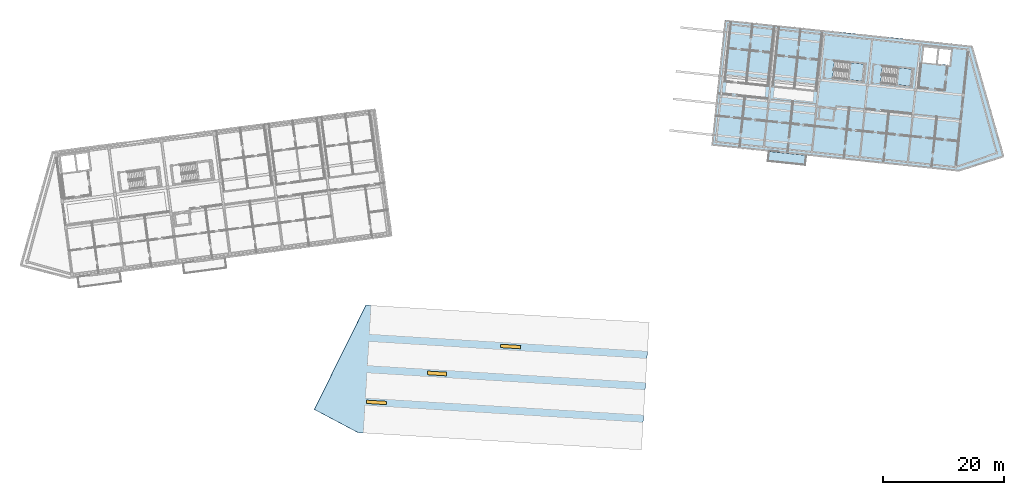
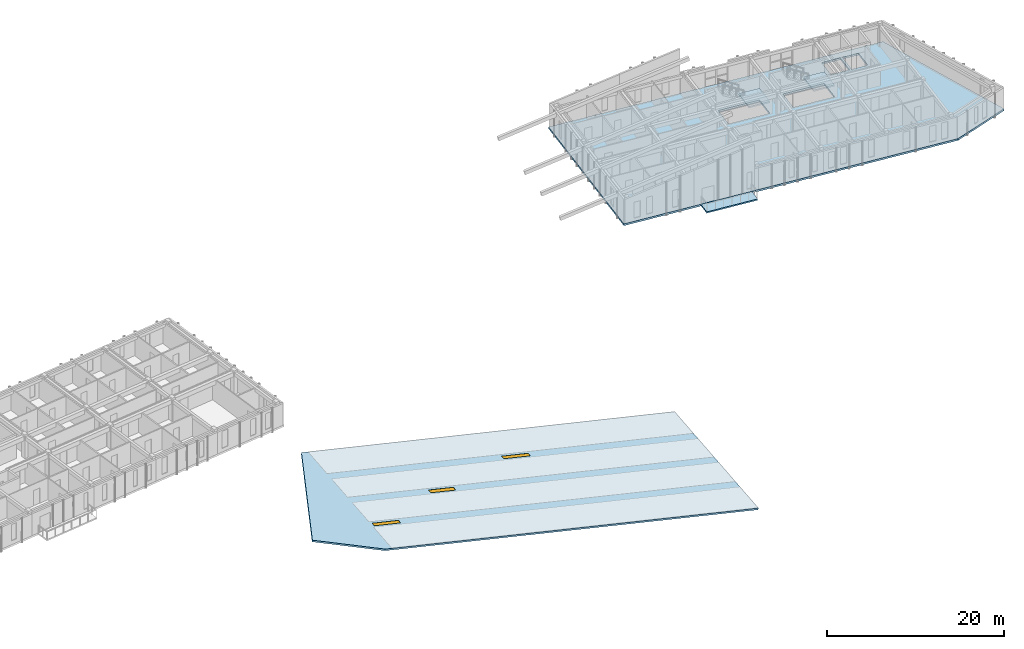
# One storey, part 9 of 34: 5 slabs, 3 windows, 3 openings, 2 elements without a shape of their own.
"""IFC4 building model written with IfcOpenShell, lengths in metres."""

from ifc_helpers import new_model, si_unit, direction, frame, origin, origin_2d, place, context, subcontext, project, spatial, polyline, rectangle, outline, extrude, material, layer, layer_set, type_object, element, fill, aggregate, save


model = new_model("IFC4")

# Units and contexts
model_context = context("Model", 3, precision=1e-05, world=origin(), true_north=direction((0.0, 1.0)))
body_context = subcontext(model_context, "Body", "Model", "MODEL_VIEW")
ifc_project = project(units=[si_unit("LENGTHUNIT", "METRE"), si_unit("AREAUNIT", "SQUARE_METRE"), si_unit("VOLUMEUNIT", "CUBIC_METRE"), si_unit("PLANEANGLEUNIT", "RADIAN"), si_unit("MASSUNIT", "GRAM", prefix="KILO")], contexts=[model_context])

# Site, building, storey
site_placement = place(None, origin())
site = spatial("IfcSite", under=ifc_project, at=site_placement, CompositionType="ELEMENT")
building_placement = place(site_placement, origin())
building = spatial("IfcBuilding", under=site, at=building_placement, Name="Kestramere Prow Commons", CompositionType="ELEMENT")
storey_placement = place(building_placement, frame((0.0, 0.0, 34.39990234375)))
storey = spatial("IfcBuildingStorey", under=building, at=storey_placement, Name="L10", CompositionType="ELEMENT", Elevation=34.39990234375)

# Slabs
ifc_material_1 = material(Name="Precast concrete C40/50", Category="concrete")
ifc_layer_1 = layer(ifc_material_1, 0.179931640625)
ifc_layer_set_1 = layer_set([ifc_layer_1], Name="Precast concrete C40/50")
slab_type_1 = type_object("IfcSlabType", Name="SL-BALC-180", PredefinedType="FLOOR", material=ifc_layer_set_1)
slab_1_placement = place(storey_placement, frame((0.0, 0.0, -0.179931640625)))
element("IfcSlab", 1, at=slab_1_placement, inside=storey, type_object=slab_type_1, Name="Block B L10 Apartment Balcony Slab 3", PredefinedType="FLOOR", context=body_context, shape_type="SweptSolid", body=[
    extrude(outline(polyline([(126.517333984375, 90.751220703125), (132.78271484375, 90.0927734375), (132.955322265625, 91.733642578125), (126.689697265625, 92.392333984375), (126.517333984375, 90.751220703125)])), origin(), (0.0, 0.0, 1.0), 0.179931640625),
])
ifc_layer_2 = layer(ifc_material_1, 0.25)
ifc_layer_set_2 = layer_set([ifc_layer_2], Name="Precast concrete C40/50")
slab_type_2 = type_object("IfcSlabType", Name="SL-HC-250", PredefinedType="FLOOR", material=ifc_layer_set_2)
slab_2_placement = place(storey_placement, frame((0.0, 0.0, -0.25)))
element("IfcSlab", 2, at=slab_2_placement, inside=storey, type_object=slab_type_2, Name="Block B L10 Hollowcore Floor Slab", PredefinedType="FLOOR", context=body_context, shape_type="SweptSolid", body=[
    extrude(outline(polyline([(117.24169921875, 93.38525390625), (158.3154296875, 89.068359375), (165.71630859375, 91.558349609375), (160.500244140625, 109.853759765625), (119.426513671875, 114.1708984375), (117.24169921875, 93.38525390625)]), holes=[polyline([(152.1728515625, 107.159423828125), (154.46044921875, 106.9189453125), (154.726806640625, 109.455078125), (152.439453125, 109.695556640625), (152.1728515625, 107.159423828125)]), polyline([(154.708984375, 106.892822265625), (156.697998046875, 106.683837890625), (156.964599609375, 109.219970703125), (154.9755859375, 109.428955078125), (154.708984375, 106.892822265625)]), polyline([(137.318603515625, 104.5478515625), (142.390625, 104.0146484375), (142.6884765625, 106.84912109375), (137.616455078125, 107.38232421875), (137.318603515625, 104.5478515625)]), polyline([(145.274658203125, 103.711669921875), (150.346923828125, 103.178466796875), (150.644775390625, 106.012939453125), (145.57275390625, 106.5458984375), (145.274658203125, 103.711669921875)])]), origin(), (0.0, 0.0, 1.0), 0.25),
])

# Slab, openings, windows
ifc_layer_3 = layer(ifc_material_1, 0.219970703125)
ifc_layer_set_3 = layer_set([ifc_layer_3], Name="Precast concrete C40/50")
slab_type_3 = type_object("IfcSlabType", Name="SL-ROOF-PROW-220", PredefinedType="ROOF", material=ifc_layer_set_3)
slab_3_placement = place(storey_placement, frame((51.374267578125, 49.601806640625, 6.04638671875), z_axis=(0.188598104437, -0.011534699583, 0.981986611776), x_axis=(0.870603729286, -0.460708421349, -0.172617777332)))
slab_3 = element("IfcSlab", 3, at=slab_3_placement, inside=storey, type_object=slab_type_3, Name="Block C Steep Standing-Seam Prow Roof Slab", PredefinedType="ROOF", context=body_context, shape_type="SweptSolid", body=[
    extrude(outline(polyline([(0.0, 0.0), (8.360087430295907, -2.3592239273284576e-16), (52.13177667694453, 19.486340989839203), (43.509615704527725, 38.85399813994987), (-0.26207354212088985, 19.367657150110674), (0.0, 0.0)])), origin(), (0.0, 0.0, -1.0), 0.219970703125),
])
opening_1_placement = place(slab_3_placement, frame((8.7841796875, 5.880859375, 0.0), z_axis=(0.0, 0.0, 1.0), x_axis=(0.406736643076, -0.913545457643, 0.0)))
opening_1 = element("IfcOpeningElement", 4, at=opening_1_placement, cuts=slab_3, Name="Opening SK-01", PredefinedType="OPENING", context=body_context, shape_type="SweptSolid", body=[
    extrude(rectangle(XDim=0.550048828125, YDim=3.39990234375, at=origin_2d()), frame((0.0, 0.0, 0.014892578125), z_axis=(0.0, 0.0, -1.0), x_axis=(1.0, 0.0, 0.0)), (0.0, 0.0, 1.0), 0.25),
])
opening_2_placement = place(slab_3_placement, frame((15.638916015625, 14.843505859375, 0.0), z_axis=(0.0, 0.0, 1.0), x_axis=(0.406736643076, -0.913545457643, 0.0)))
opening_2 = element("IfcOpeningElement", 5, at=opening_2_placement, cuts=slab_3, Name="Opening SK-02", PredefinedType="OPENING", context=body_context, shape_type="SweptSolid", body=[
    extrude(rectangle(XDim=0.60009765625, YDim=3.199951171875, at=origin_2d()), frame((0.0, 0.0, 0.014892578125), z_axis=(0.0, 0.0, -1.0), x_axis=(1.0, 0.0, 0.0)), (0.0, 0.0, 1.0), 0.25),
])
opening_3_placement = place(slab_3_placement, frame((24.586669921875, 24.518798828125, 0.0), z_axis=(0.0, 0.0, 1.0), x_axis=(0.406736643076, -0.913545457643, 0.0)))
opening_3 = element("IfcOpeningElement", 6, at=opening_3_placement, cuts=slab_3, Name="Opening SK-01", PredefinedType="OPENING", context=body_context, shape_type="SweptSolid", body=[
    extrude(rectangle(XDim=0.550048828125, YDim=3.39990234375, at=origin_2d()), frame((0.0, 0.0, 0.014892578125), z_axis=(0.0, 0.0, -1.0), x_axis=(1.0, 0.0, 0.0)), (0.0, 0.0, 1.0), 0.25),
])
ifc_material_2 = material(Name="Triple-Laminated Solar-Control Skylight Glazing", Category="glass")
window_type_1 = type_object("IfcWindowType", Name="SK-PROW-2400", PartitioningType="SINGLE_PANEL", PredefinedType="SKYLIGHT", material=ifc_material_2)
window_1_placement = place(opening_1_placement, frame((0.0, 0.0, -0.010009765625)))
window_1 = element("IfcWindow", 7, at=window_1_placement, inside=storey, type_object=window_type_1, Name="Block C Prow Linear Slot Skylight 1", OverallHeight=3.39990234375, OverallWidth=0.550048828125, PartitioningType="SINGLE_PANEL", PredefinedType="SKYLIGHT", context=body_context, shape_type="SweptSolid", body=[
    extrude(rectangle(XDim=0.550048828125, YDim=3.39990234375, at=origin_2d()), frame((0.0, 0.0, 0.0), z_axis=(0.0, 0.0, -1.0), x_axis=(1.0, 0.0, 0.0)), (0.0, 0.0, 1.0), 0.06005859375),
])
fill(opening_1, window_1)
window_2_placement = place(opening_3_placement, frame((0.0, 0.0, -0.010009765625)))
window_2 = element("IfcWindow", 8, at=window_2_placement, inside=storey, type_object=window_type_1, Name="Block C Prow Linear Slot Skylight 3", OverallHeight=3.39990234375, OverallWidth=0.550048828125, PartitioningType="SINGLE_PANEL", PredefinedType="SKYLIGHT", context=body_context, shape_type="SweptSolid", body=[
    extrude(rectangle(XDim=0.550048828125, YDim=3.39990234375, at=origin_2d()), frame((0.0, 0.0, 0.0), z_axis=(0.0, 0.0, -1.0), x_axis=(1.0, 0.0, 0.0)), (0.0, 0.0, 1.0), 0.06005859375),
])
fill(opening_3, window_2)
window_type_2 = type_object("IfcWindowType", Name="SK-PROW-3000", PartitioningType="SINGLE_PANEL", PredefinedType="SKYLIGHT", material=ifc_material_2)
window_3_placement = place(opening_2_placement, frame((0.0, 0.0, -0.010009765625)))
window_3 = element("IfcWindow", 9, at=window_3_placement, inside=storey, type_object=window_type_2, Name="Block C Prow Linear Slot Skylight 2", OverallHeight=3.199951171875, OverallWidth=0.60009765625, PartitioningType="SINGLE_PANEL", PredefinedType="SKYLIGHT", context=body_context, shape_type="SweptSolid", body=[
    extrude(rectangle(XDim=0.60009765625, YDim=3.199951171875, at=origin_2d()), frame((0.0, 0.0, 0.0), z_axis=(0.0, 0.0, -1.0), x_axis=(1.0, 0.0, 0.0)), (0.0, 0.0, 1.0), 0.06005859375),
])
fill(opening_2, window_3)

# Stair, slab
ifc_material_3 = material(Name="Concrete C40/50", Category="concrete")
stair_type = type_object("IfcStairType", Name="ST-DOG-1350", PredefinedType="HALF_TURN_STAIR", material=ifc_material_3)
stair_1_placement = place(storey_placement, origin())
stair_1 = element("IfcStair", 10, at=stair_1_placement, inside=storey, type_object=stair_type, Name="L10 Block B Exit Stair 1", PredefinedType="HALF_TURN_STAIR")
ifc_layer_4 = layer(ifc_material_3, 0.199951171875)
ifc_layer_set_4 = layer_set([ifc_layer_4], Name="Concrete C40/50")
slab_type_4 = type_object("IfcSlabType", Name="SL-ST-LAND-200", PredefinedType="LANDING", material=ifc_layer_set_4)
slab_4_placement = place(storey_placement, frame((0.0, 0.0, 1.425048828125)))
slab_4 = element("IfcSlab", 11, at=slab_4_placement, type_object=slab_type_4, Name="ST-B1 landing 1", PredefinedType="LANDING", context=body_context, shape_type="SweptSolid", body=[
    extrude(outline(polyline([(139.82470703125, 104.284423828125), (142.390625, 104.0146484375), (142.6884765625, 106.84912109375), (140.122802734375, 107.118896484375), (139.82470703125, 104.284423828125)])), origin(), (0.0, 0.0, 1.0), 0.199951171875),
])
aggregate(stair_1, [slab_4])

stair_2_placement = place(storey_placement, origin())
stair_2 = element("IfcStair", 12, at=stair_2_placement, inside=storey, type_object=stair_type, Name="L10 Block B Exit Stair 2", PredefinedType="HALF_TURN_STAIR")
slab_5_placement = place(storey_placement, frame((0.0, 0.0, 1.425048828125)))
slab_5 = element("IfcSlab", 13, at=slab_5_placement, type_object=slab_type_4, Name="ST-B2 landing 1", PredefinedType="LANDING", context=body_context, shape_type="SweptSolid", body=[
    extrude(outline(polyline([(147.781005859375, 103.4482421875), (150.346923828125, 103.178466796875), (150.644775390625, 106.012939453125), (148.078857421875, 106.282470703125), (147.781005859375, 103.4482421875)])), origin(), (0.0, 0.0, 1.0), 0.199951171875),
])
aggregate(stair_2, [slab_5])

save(model, "model.ifc")
